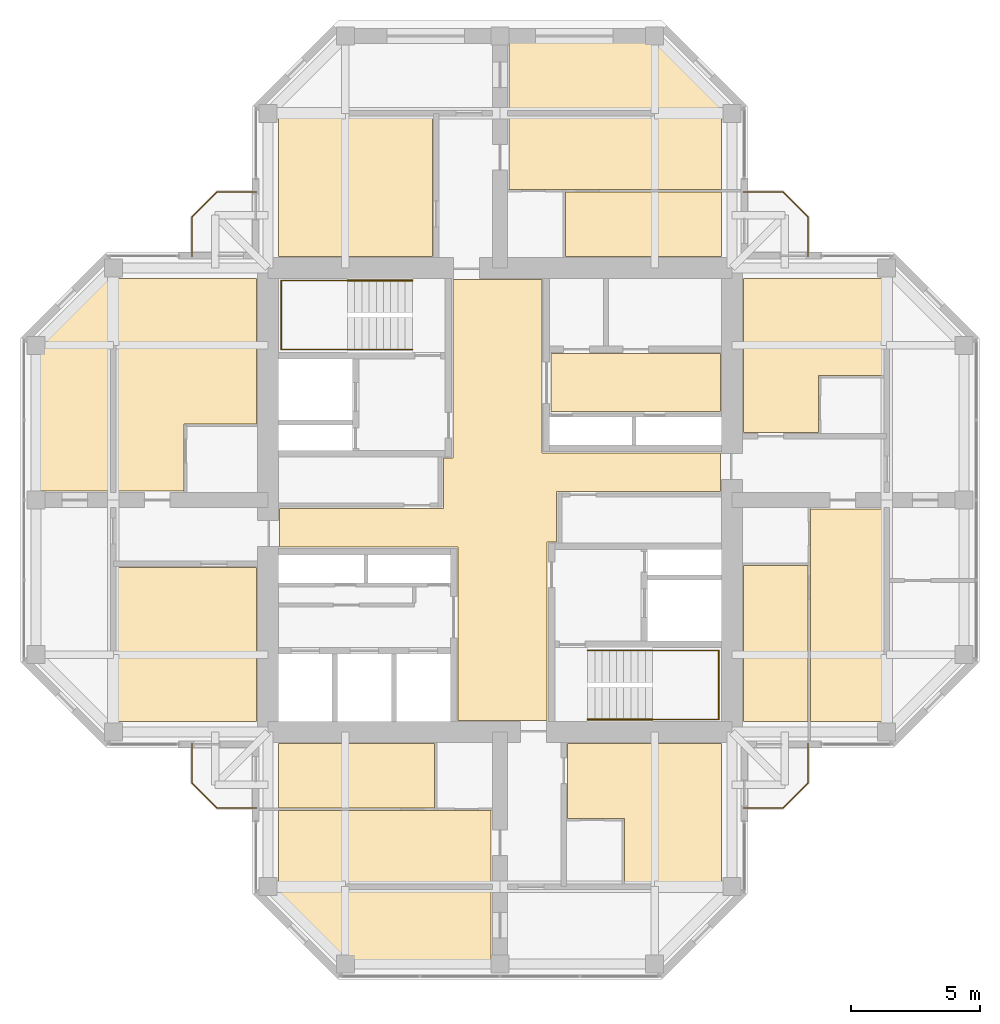
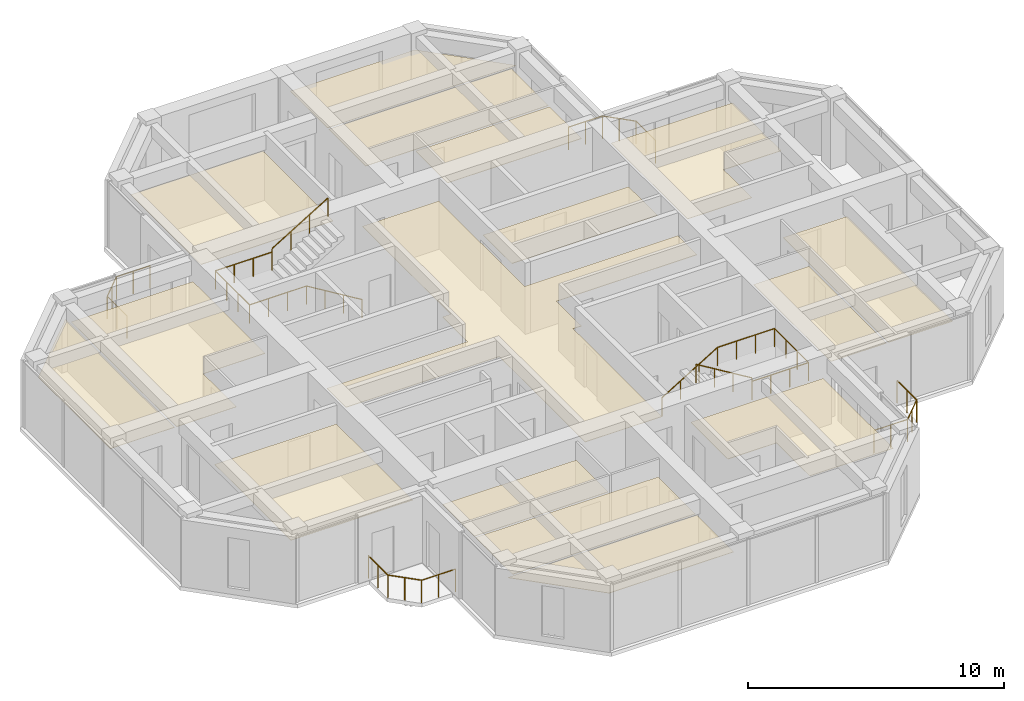
# One storey, part 13 of 13: 16 coverings, 8 railings.
"""IFC4 building model written with IfcOpenShell, lengths in metres."""

from ifc_helpers import new_model, si_unit, direction, frame, origin, origin_2d, place, context, subcontext, project, spatial, polyline, circle, outline, extrude, material, layer, layer_set, constituent, constituent_set, type_object, element, save


model = new_model("IFC4")

# Units and contexts
model_context = context("Model", 3, precision=1e-05, world=origin(), true_north=direction((0.0, 1.0)))
body_context = subcontext(model_context, "Body", "Model", "MODEL_VIEW")
ifc_project = project(units=[si_unit("LENGTHUNIT", "METRE"), si_unit("AREAUNIT", "SQUARE_METRE"), si_unit("VOLUMEUNIT", "CUBIC_METRE"), si_unit("PLANEANGLEUNIT", "RADIAN"), si_unit("MASSUNIT", "GRAM", prefix="KILO")], contexts=[model_context])

# Site, building, storey
site_placement = place(None, origin())
site = spatial("IfcSite", under=ifc_project, at=site_placement, CompositionType="ELEMENT")
building_placement = place(site_placement, origin())
building = spatial("IfcBuilding", under=site, at=building_placement, Name="Torre Cruceta", CompositionType="ELEMENT")
storey_placement = place(building_placement, frame((0.0, 0.0, 284.89990234375)))
storey = spatial("IfcBuildingStorey", under=building, at=storey_placement, Name="L74", CompositionType="ELEMENT", Elevation=284.89990234375)

# Railings
ifc_material_1 = material(Name="Stainless steel 1.4401", Category="steel")
ifc_constituent_1 = constituent(ifc_material_1, Name="Frame")
ifc_material_2 = material(Name="Laminated safety glass", Category="glass")
ifc_constituent_2 = constituent(ifc_material_2, Name="Infill")
ifc_constituent_set = constituent_set(constituents=[ifc_constituent_1, ifc_constituent_2], Name="Stainless steel and laminated glass balustrade")
railing_type_1 = type_object("IfcRailingType", Name="BALCONY BALUSTRADE 1100", PredefinedType="BALUSTRADE", material=ifc_constituent_set)
railing_1_placement = place(storey_placement, frame((-9.449951171875, 11.949951171875, 0.0)))
element("IfcRailing", 1, at=railing_1_placement, inside=storey, type_object=railing_type_1, Name="BL1 balcony balustrade L74 N", PredefinedType="BALUSTRADE", context=body_context, shape_type="SweptSolid", body=[
    extrude(circle(Radius=0.02392578125, at=origin_2d()), frame((0.0, 0.0, 1.076171875), z_axis=(-1.0, 0.0, 0.0), x_axis=(0.0, -1.0, 0.0)), (0.0, 0.0, 1.0), 1.529296875),
    extrude(circle(Radius=0.02392578125, at=origin_2d()), frame((-1.529296875, 0.0, 1.076171875), z_axis=(-0.707106781187, -0.707106781187, 0.0), x_axis=(0.707106781187, -0.707106781187, 0.0)), (0.0, 0.0, 1.0), 1.372802734375),
    extrude(circle(Radius=0.02392578125, at=origin_2d()), frame((-2.5, -0.970703125, 1.076171875), z_axis=(0.0, -1.0, 0.0), x_axis=(1.0, 0.0, 0.0)), (0.0, 0.0, 1.0), 1.529296875),
    extrude(circle(Radius=0.02099609375, at=origin_2d()), origin(), (0.0, 0.0, 1.0), 1.052001953125),
    extrude(circle(Radius=0.02099609375, at=origin_2d()), frame((-0.7646484375, 0.0, 0.0)), (0.0, 0.0, 1.0), 1.052001953125),
    extrude(circle(Radius=0.02099609375, at=origin_2d()), frame((-1.529296875, 0.0, 0.0)), (0.0, 0.0, 1.0), 1.052001953125),
    extrude(circle(Radius=0.02099609375, at=origin_2d()), frame((-2.0146484375, -0.4853515625, 0.0)), (0.0, 0.0, 1.0), 1.052001953125),
    extrude(circle(Radius=0.02099609375, at=origin_2d()), frame((-2.5, -0.970703125, 0.0)), (0.0, 0.0, 1.0), 1.052001953125),
    extrude(circle(Radius=0.02099609375, at=origin_2d()), frame((-2.5, -1.7353515625, 0.0)), (0.0, 0.0, 1.0), 1.052001953125),
    extrude(circle(Radius=0.02099609375, at=origin_2d()), frame((-2.5, -2.5, 0.0)), (0.0, 0.0, 1.0), 1.052001953125),
])
railing_2_placement = place(storey_placement, frame((9.449951171875, 11.949951171875, 0.0)))
element("IfcRailing", 2, at=railing_2_placement, inside=storey, type_object=railing_type_1, Name="BL1 balcony balustrade L74 E", PredefinedType="BALUSTRADE", context=body_context, shape_type="SweptSolid", body=[
    extrude(circle(Radius=0.02392578125, at=origin_2d()), frame((0.0, 0.0, 1.076171875), z_axis=(1.0, 0.0, 0.0), x_axis=(0.0, 1.0, 0.0)), (0.0, 0.0, 1.0), 1.529296875),
    extrude(circle(Radius=0.02392578125, at=origin_2d()), frame((1.529296875, 0.0, 1.076171875), z_axis=(0.707106781187, -0.707106781187, 0.0), x_axis=(0.707106781187, 0.707106781187, 0.0)), (0.0, 0.0, 1.0), 1.372802734375),
    extrude(circle(Radius=0.02392578125, at=origin_2d()), frame((2.5, -0.970703125, 1.076171875), z_axis=(0.0, -1.0, 0.0), x_axis=(1.0, 0.0, 0.0)), (0.0, 0.0, 1.0), 1.529296875),
    extrude(circle(Radius=0.02099609375, at=origin_2d()), origin(), (0.0, 0.0, 1.0), 1.052001953125),
    extrude(circle(Radius=0.02099609375, at=origin_2d()), frame((0.7646484375, 0.0, 0.0)), (0.0, 0.0, 1.0), 1.052001953125),
    extrude(circle(Radius=0.02099609375, at=origin_2d()), frame((1.529296875, 0.0, 0.0)), (0.0, 0.0, 1.0), 1.052001953125),
    extrude(circle(Radius=0.02099609375, at=origin_2d()), frame((2.0146484375, -0.4853515625, 0.0)), (0.0, 0.0, 1.0), 1.052001953125),
    extrude(circle(Radius=0.02099609375, at=origin_2d()), frame((2.5, -0.970703125, 0.0)), (0.0, 0.0, 1.0), 1.052001953125),
    extrude(circle(Radius=0.02099609375, at=origin_2d()), frame((2.5, -1.7353515625, 0.0)), (0.0, 0.0, 1.0), 1.052001953125),
    extrude(circle(Radius=0.02099609375, at=origin_2d()), frame((2.5, -2.5, 0.0)), (0.0, 0.0, 1.0), 1.052001953125),
])
railing_3_placement = place(storey_placement, frame((9.449951171875, -11.949951171875, 0.0)))
element("IfcRailing", 3, at=railing_3_placement, inside=storey, type_object=railing_type_1, Name="BL1 balcony balustrade L74 S", PredefinedType="BALUSTRADE", context=body_context, shape_type="SweptSolid", body=[
    extrude(circle(Radius=0.02392578125, at=origin_2d()), frame((0.0, 0.0, 1.076171875), z_axis=(1.0, 0.0, 0.0), x_axis=(0.0, 1.0, 0.0)), (0.0, 0.0, 1.0), 1.529296875),
    extrude(circle(Radius=0.02392578125, at=origin_2d()), frame((1.529296875, 0.0, 1.076171875), z_axis=(0.707106781187, 0.707106781187, 0.0), x_axis=(-0.707106781187, 0.707106781187, 0.0)), (0.0, 0.0, 1.0), 1.372802734375),
    extrude(circle(Radius=0.02392578125, at=origin_2d()), frame((2.5, 0.970703125, 1.076171875), z_axis=(0.0, 1.0, 0.0), x_axis=(-1.0, 0.0, 0.0)), (0.0, 0.0, 1.0), 1.529296875),
    extrude(circle(Radius=0.02099609375, at=origin_2d()), origin(), (0.0, 0.0, 1.0), 1.052001953125),
    extrude(circle(Radius=0.02099609375, at=origin_2d()), frame((0.7646484375, 0.0, 0.0)), (0.0, 0.0, 1.0), 1.052001953125),
    extrude(circle(Radius=0.02099609375, at=origin_2d()), frame((1.529296875, 0.0, 0.0)), (0.0, 0.0, 1.0), 1.052001953125),
    extrude(circle(Radius=0.02099609375, at=origin_2d()), frame((2.0146484375, 0.4853515625, 0.0)), (0.0, 0.0, 1.0), 1.052001953125),
    extrude(circle(Radius=0.02099609375, at=origin_2d()), frame((2.5, 0.970703125, 0.0)), (0.0, 0.0, 1.0), 1.052001953125),
    extrude(circle(Radius=0.02099609375, at=origin_2d()), frame((2.5, 1.7353515625, 0.0)), (0.0, 0.0, 1.0), 1.052001953125),
    extrude(circle(Radius=0.02099609375, at=origin_2d()), frame((2.5, 2.5, 0.0)), (0.0, 0.0, 1.0), 1.052001953125),
])
railing_4_placement = place(storey_placement, frame((-9.449951171875, -11.949951171875, 0.0)))
element("IfcRailing", 4, at=railing_4_placement, inside=storey, type_object=railing_type_1, Name="BL1 balcony balustrade L74 W", PredefinedType="BALUSTRADE", context=body_context, shape_type="SweptSolid", body=[
    extrude(circle(Radius=0.02392578125, at=origin_2d()), frame((0.0, 0.0, 1.076171875), z_axis=(-1.0, 0.0, 0.0), x_axis=(0.0, -1.0, 0.0)), (0.0, 0.0, 1.0), 1.529296875),
    extrude(circle(Radius=0.02392578125, at=origin_2d()), frame((-1.529296875, 0.0, 1.076171875), z_axis=(-0.707106781187, 0.707106781187, 0.0), x_axis=(-0.707106781187, -0.707106781187, 0.0)), (0.0, 0.0, 1.0), 1.372802734375),
    extrude(circle(Radius=0.02392578125, at=origin_2d()), frame((-2.5, 0.970703125, 1.076171875), z_axis=(0.0, 1.0, 0.0), x_axis=(-1.0, 0.0, 0.0)), (0.0, 0.0, 1.0), 1.529296875),
    extrude(circle(Radius=0.02099609375, at=origin_2d()), origin(), (0.0, 0.0, 1.0), 1.052001953125),
    extrude(circle(Radius=0.02099609375, at=origin_2d()), frame((-0.7646484375, 0.0, 0.0)), (0.0, 0.0, 1.0), 1.052001953125),
    extrude(circle(Radius=0.02099609375, at=origin_2d()), frame((-1.529296875, 0.0, 0.0)), (0.0, 0.0, 1.0), 1.052001953125),
    extrude(circle(Radius=0.02099609375, at=origin_2d()), frame((-2.0146484375, 0.4853515625, 0.0)), (0.0, 0.0, 1.0), 1.052001953125),
    extrude(circle(Radius=0.02099609375, at=origin_2d()), frame((-2.5, 0.970703125, 0.0)), (0.0, 0.0, 1.0), 1.052001953125),
    extrude(circle(Radius=0.02099609375, at=origin_2d()), frame((-2.5, 1.7353515625, 0.0)), (0.0, 0.0, 1.0), 1.052001953125),
    extrude(circle(Radius=0.02099609375, at=origin_2d()), frame((-2.5, 2.5, 0.0)), (0.0, 0.0, 1.0), 1.052001953125),
])
ifc_material_3 = material(Name="Stainless steel 1.4401", Category="steel")
railing_type_2 = type_object("IfcRailingType", Name="HANDRAIL 900", PredefinedType="HANDRAIL", material=ifc_material_3)
railing_5_placement = place(storey_placement, frame((-3.39990234375, 5.8349609375, 0.170166015625)))
element("IfcRailing", 5, at=railing_5_placement, inside=storey, type_object=railing_type_2, Name="Handrail HR1 ST1 L74", PredefinedType="HANDRAIL", context=body_context, shape_type="SweptSolid", body=[
    extrude(circle(Radius=0.02392578125, at=origin_2d()), frame((0.0, 0.0, 0.8759765625), z_axis=(-0.85478489116, 0.0, 0.518982456201), x_axis=(0.0, -1.0, 0.0)), (0.0, 0.0, 1.0), 2.9482421875),
    extrude(circle(Radius=0.02392578125, at=origin_2d()), frame((-2.52001953125, 0.0, 2.40576171875), z_axis=(-1.0, 0.0, 0.0), x_axis=(0.0, -1.0, 0.0)), (0.0, 0.0, 1.0), 2.570068359375),
    extrude(circle(Radius=0.02392578125, at=origin_2d()), frame((-5.090087890625, 0.0, 2.40576171875), z_axis=(0.0, 1.0, 0.0), x_axis=(-1.0, 0.0, 0.0)), (0.0, 0.0, 1.0), 2.679931640625),
    extrude(circle(Radius=0.02392578125, at=origin_2d()), frame((-5.090087890625, 2.679931640625, 2.40576171875), z_axis=(1.0, 0.0, 0.0), x_axis=(0.0, 1.0, 0.0)), (0.0, 0.0, 1.0), 2.570068359375),
    extrude(circle(Radius=0.02099609375, at=origin_2d()), origin(), (0.0, 0.0, 1.0), 0.851806640625),
    extrude(circle(Radius=0.02099609375, at=origin_2d()), frame((-0.840087890625, 0.0, 0.510009765625)), (0.0, 0.0, 1.0), 0.851806640625),
    extrude(circle(Radius=0.02099609375, at=origin_2d()), frame((-1.679931640625, 0.0, 1.02001953125)), (0.0, 0.0, 1.0), 0.851806640625),
    extrude(circle(Radius=0.02099609375, at=origin_2d()), frame((-2.52001953125, 0.0, 1.530029296875)), (0.0, 0.0, 1.0), 0.851806640625),
    extrude(circle(Radius=0.02099609375, at=origin_2d()), frame((-3.376708984375, 0.0, 1.530029296875)), (0.0, 0.0, 1.0), 0.851806640625),
    extrude(circle(Radius=0.02099609375, at=origin_2d()), frame((-4.2333984375, 0.0, 1.530029296875)), (0.0, 0.0, 1.0), 0.851806640625),
    extrude(circle(Radius=0.02099609375, at=origin_2d()), frame((-5.090087890625, 0.0, 1.530029296875)), (0.0, 0.0, 1.0), 0.851806640625),
    extrude(circle(Radius=0.02099609375, at=origin_2d()), frame((-5.090087890625, 0.893310546875, 1.530029296875)), (0.0, 0.0, 1.0), 0.851806640625),
    extrude(circle(Radius=0.02099609375, at=origin_2d()), frame((-5.090087890625, 1.78662109375, 1.530029296875)), (0.0, 0.0, 1.0), 0.851806640625),
    extrude(circle(Radius=0.02099609375, at=origin_2d()), frame((-5.090087890625, 2.679931640625, 1.530029296875)), (0.0, 0.0, 1.0), 0.851806640625),
    extrude(circle(Radius=0.02099609375, at=origin_2d()), frame((-4.2333984375, 2.679931640625, 1.530029296875)), (0.0, 0.0, 1.0), 0.851806640625),
    extrude(circle(Radius=0.02099609375, at=origin_2d()), frame((-3.376708984375, 2.679931640625, 1.530029296875)), (0.0, 0.0, 1.0), 0.851806640625),
    extrude(circle(Radius=0.02099609375, at=origin_2d()), frame((-2.52001953125, 2.679931640625, 1.530029296875)), (0.0, 0.0, 1.0), 0.851806640625),
])
railing_6_placement = place(storey_placement, frame((-5.919921875, 8.514892578125, 1.8701171875)))
element("IfcRailing", 6, at=railing_6_placement, inside=storey, type_object=railing_type_2, Name="Handrail HR1 ST1 L74", PredefinedType="HANDRAIL", context=body_context, shape_type="SweptSolid", body=[
    extrude(circle(Radius=0.02392578125, at=origin_2d()), frame((0.0, 0.0, 0.8759765625), z_axis=(0.85478489116, 0.0, 0.518982456201), x_axis=(0.0, 1.0, 0.0)), (0.0, 0.0, 1.0), 2.9482421875),
    extrude(circle(Radius=0.02099609375, at=origin_2d()), origin(), (0.0, 0.0, 1.0), 0.851806640625),
    extrude(circle(Radius=0.02099609375, at=origin_2d()), frame((0.840087890625, 0.0, 0.510009765625)), (0.0, 0.0, 1.0), 0.851806640625),
    extrude(circle(Radius=0.02099609375, at=origin_2d()), frame((1.679931640625, 0.0, 1.02001953125)), (0.0, 0.0, 1.0), 0.851806640625),
    extrude(circle(Radius=0.02099609375, at=origin_2d()), frame((2.52001953125, 0.0, 1.530029296875)), (0.0, 0.0, 1.0), 0.851806640625),
])
railing_7_placement = place(storey_placement, frame((3.39990234375, -5.8349609375, 0.170166015625)))
element("IfcRailing", 7, at=railing_7_placement, inside=storey, type_object=railing_type_2, Name="Handrail HR1 ST2 L74", PredefinedType="HANDRAIL", context=body_context, shape_type="SweptSolid", body=[
    extrude(circle(Radius=0.02392578125, at=origin_2d()), frame((0.0, 0.0, 0.8759765625), z_axis=(0.85478489116, 0.0, 0.518982456201), x_axis=(0.0, 1.0, 0.0)), (0.0, 0.0, 1.0), 2.9482421875),
    extrude(circle(Radius=0.02392578125, at=origin_2d()), frame((2.52001953125, 0.0, 2.40576171875), z_axis=(1.0, 0.0, 0.0), x_axis=(0.0, 1.0, 0.0)), (0.0, 0.0, 1.0), 2.570068359375),
    extrude(circle(Radius=0.02392578125, at=origin_2d()), frame((5.090087890625, 0.0, 2.40576171875), z_axis=(0.0, -1.0, 0.0), x_axis=(1.0, 0.0, 0.0)), (0.0, 0.0, 1.0), 2.679931640625),
    extrude(circle(Radius=0.02392578125, at=origin_2d()), frame((5.090087890625, -2.679931640625, 2.40576171875), z_axis=(-1.0, 0.0, 0.0), x_axis=(0.0, -1.0, 0.0)), (0.0, 0.0, 1.0), 2.570068359375),
    extrude(circle(Radius=0.02099609375, at=origin_2d()), origin(), (0.0, 0.0, 1.0), 0.851806640625),
    extrude(circle(Radius=0.02099609375, at=origin_2d()), frame((0.840087890625, 0.0, 0.510009765625)), (0.0, 0.0, 1.0), 0.851806640625),
    extrude(circle(Radius=0.02099609375, at=origin_2d()), frame((1.679931640625, 0.0, 1.02001953125)), (0.0, 0.0, 1.0), 0.851806640625),
    extrude(circle(Radius=0.02099609375, at=origin_2d()), frame((2.52001953125, 0.0, 1.530029296875)), (0.0, 0.0, 1.0), 0.851806640625),
    extrude(circle(Radius=0.02099609375, at=origin_2d()), frame((3.376708984375, 0.0, 1.530029296875)), (0.0, 0.0, 1.0), 0.851806640625),
    extrude(circle(Radius=0.02099609375, at=origin_2d()), frame((4.2333984375, 0.0, 1.530029296875)), (0.0, 0.0, 1.0), 0.851806640625),
    extrude(circle(Radius=0.02099609375, at=origin_2d()), frame((5.090087890625, 0.0, 1.530029296875)), (0.0, 0.0, 1.0), 0.851806640625),
    extrude(circle(Radius=0.02099609375, at=origin_2d()), frame((5.090087890625, -0.893310546875, 1.530029296875)), (0.0, 0.0, 1.0), 0.851806640625),
    extrude(circle(Radius=0.02099609375, at=origin_2d()), frame((5.090087890625, -1.78662109375, 1.530029296875)), (0.0, 0.0, 1.0), 0.851806640625),
    extrude(circle(Radius=0.02099609375, at=origin_2d()), frame((5.090087890625, -2.679931640625, 1.530029296875)), (0.0, 0.0, 1.0), 0.851806640625),
    extrude(circle(Radius=0.02099609375, at=origin_2d()), frame((4.2333984375, -2.679931640625, 1.530029296875)), (0.0, 0.0, 1.0), 0.851806640625),
    extrude(circle(Radius=0.02099609375, at=origin_2d()), frame((3.376708984375, -2.679931640625, 1.530029296875)), (0.0, 0.0, 1.0), 0.851806640625),
    extrude(circle(Radius=0.02099609375, at=origin_2d()), frame((2.52001953125, -2.679931640625, 1.530029296875)), (0.0, 0.0, 1.0), 0.851806640625),
])
railing_8_placement = place(storey_placement, frame((5.919921875, -8.514892578125, 1.8701171875)))
element("IfcRailing", 8, at=railing_8_placement, inside=storey, type_object=railing_type_2, Name="Handrail HR1 ST2 L74", PredefinedType="HANDRAIL", context=body_context, shape_type="SweptSolid", body=[
    extrude(circle(Radius=0.02392578125, at=origin_2d()), frame((0.0, 0.0, 0.8759765625), z_axis=(-0.85478489116, 0.0, 0.518982456201), x_axis=(0.0, -1.0, 0.0)), (0.0, 0.0, 1.0), 2.9482421875),
    extrude(circle(Radius=0.02099609375, at=origin_2d()), origin(), (0.0, 0.0, 1.0), 0.851806640625),
    extrude(circle(Radius=0.02099609375, at=origin_2d()), frame((-0.840087890625, 0.0, 0.510009765625)), (0.0, 0.0, 1.0), 0.851806640625),
    extrude(circle(Radius=0.02099609375, at=origin_2d()), frame((-1.679931640625, 0.0, 1.02001953125)), (0.0, 0.0, 1.0), 0.851806640625),
    extrude(circle(Radius=0.02099609375, at=origin_2d()), frame((-2.52001953125, 0.0, 1.530029296875)), (0.0, 0.0, 1.0), 0.851806640625),
])

# Coverings
ifc_material_4 = material(Name="Mineral fibre ceiling tile", Category="gypsum")
ifc_layer = layer(ifc_material_4, 0.02001953125)
ifc_layer_set = layer_set([ifc_layer], Name="Mineral fibre ceiling tile")
covering_type = type_object("IfcCoveringType", Name="SUSPENDED CEILING 20", PredefinedType="CEILING", material=ifc_layer_set)
covering_1_placement = place(storey_placement, frame((0.0, 0.0, 2.330078125)))
element("IfcCovering", 9, at=covering_1_placement, inside=storey, type_object=covering_type, Name="Ceiling L74-003", PredefinedType="CEILING", context=body_context, shape_type="SweptSolid", body=[
    extrude(outline(polyline([(1.824951171875, -8.550048828125), (-1.625, -8.550048828125), (-1.625, -1.824951171875), (-8.550048828125, -1.824951171875), (-8.550048828125, -0.324951171875), (-2.199951171875, -0.324951171875), (-2.199951171875, 1.625), (-1.824951171875, 1.625), (-1.824951171875, 8.550048828125), (1.625, 8.550048828125), (1.625, 1.824951171875), (8.550048828125, 1.824951171875), (8.550048828125, 0.324951171875), (2.199951171875, 0.324951171875), (2.199951171875, -1.625), (1.824951171875, -1.625), (1.824951171875, -8.550048828125)])), origin(), (0.0, 0.0, 1.0), 0.02001953125),
])
covering_2_placement = place(storey_placement, frame((0.0, 0.0, 2.330078125)))
element("IfcCovering", 10, at=covering_2_placement, inside=storey, type_object=covering_type, Name="Ceiling L74-006", PredefinedType="CEILING", context=body_context, shape_type="SweptSolid", body=[
    extrude(outline(polyline([(1.97509765625, 3.425048828125), (1.97509765625, 5.675048828125), (8.550048828125, 5.675048828125), (8.550048828125, 3.425048828125), (1.97509765625, 3.425048828125)])), origin(), (0.0, 0.0, 1.0), 0.02001953125),
])
covering_3_placement = place(storey_placement, frame((0.0, 0.0, 2.330078125)))
element("IfcCovering", 11, at=covering_3_placement, inside=storey, type_object=covering_type, Name="Ceiling L74-025", PredefinedType="CEILING", context=body_context, shape_type="SweptSolid", body=[
    extrude(outline(polyline([(-2.625, 9.449951171875), (-8.60009765625, 9.449951171875), (-8.60009765625, 14.949951171875), (-2.625, 14.949951171875), (-2.625, 9.449951171875)])), origin(), (0.0, 0.0, 1.0), 0.02001953125),
])
covering_4_placement = place(storey_placement, frame((0.0, 0.0, 2.330078125)))
element("IfcCovering", 12, at=covering_4_placement, inside=storey, type_object=covering_type, Name="Ceiling L74-026", PredefinedType="CEILING", context=body_context, shape_type="SweptSolid", body=[
    extrude(outline(polyline([(8.60009765625, 14.949951171875), (8.60009765625, 12.050048828125), (0.35009765625, 12.050048828125), (0.35009765625, 14.949951171875), (8.60009765625, 14.949951171875)])), origin(), (0.0, 0.0, 1.0), 0.02001953125),
])
covering_5_placement = place(storey_placement, frame((0.0, 0.0, 2.330078125)))
element("IfcCovering", 13, at=covering_5_placement, inside=storey, type_object=covering_type, Name="Ceiling L74-027", PredefinedType="CEILING", context=body_context, shape_type="SweptSolid", body=[
    extrude(outline(polyline([(8.60009765625, 9.449951171875), (2.550048828125, 9.449951171875), (2.550048828125, 11.949951171875), (8.60009765625, 11.949951171875), (8.60009765625, 9.449951171875)])), origin(), (0.0, 0.0, 1.0), 0.02001953125),
])
covering_6_placement = place(storey_placement, frame((0.0, 0.0, 2.330078125)))
element("IfcCovering", 14, at=covering_6_placement, inside=storey, type_object=covering_type, Name="Ceiling L74-030", PredefinedType="CEILING", context=body_context, shape_type="SweptSolid", body=[
    extrude(outline(polyline([(8.87939453125, 15.050048828125), (0.35009765625, 15.050048828125), (0.35009765625, 17.949951171875), (5.979248046875, 17.949951171875), (8.87939453125, 15.050048828125)])), origin(), (0.0, 0.0, 1.0), 0.02001953125),
])
covering_7_placement = place(storey_placement, frame((0.0, 0.0, 2.330078125)))
element("IfcCovering", 15, at=covering_7_placement, inside=storey, type_object=covering_type, Name="Ceiling L74-032", PredefinedType="CEILING", context=body_context, shape_type="SweptSolid", body=[
    extrude(outline(polyline([(9.449951171875, 2.625), (9.449951171875, 8.60009765625), (14.949951171875, 8.60009765625), (14.949951171875, 4.824951171875), (12.35009765625, 4.824951171875), (12.35009765625, 2.625), (9.449951171875, 2.625)])), origin(), (0.0, 0.0, 1.0), 0.02001953125),
])
covering_8_placement = place(storey_placement, frame((0.0, 0.0, 2.330078125)))
element("IfcCovering", 16, at=covering_8_placement, inside=storey, type_object=covering_type, Name="Ceiling L74-034", PredefinedType="CEILING", context=body_context, shape_type="SweptSolid", body=[
    extrude(outline(polyline([(14.949951171875, -8.60009765625), (12.050048828125, -8.60009765625), (12.050048828125, -0.35009765625), (14.949951171875, -0.35009765625), (14.949951171875, -8.60009765625)])), origin(), (0.0, 0.0, 1.0), 0.02001953125),
])
covering_9_placement = place(storey_placement, frame((0.0, 0.0, 2.330078125)))
element("IfcCovering", 17, at=covering_9_placement, inside=storey, type_object=covering_type, Name="Ceiling L74-035", PredefinedType="CEILING", context=body_context, shape_type="SweptSolid", body=[
    extrude(outline(polyline([(9.449951171875, -8.60009765625), (9.449951171875, -2.550048828125), (11.949951171875, -2.550048828125), (11.949951171875, -8.60009765625), (9.449951171875, -8.60009765625)])), origin(), (0.0, 0.0, 1.0), 0.02001953125),
])
covering_10_placement = place(storey_placement, frame((0.0, 0.0, 2.330078125)))
element("IfcCovering", 18, at=covering_10_placement, inside=storey, type_object=covering_type, Name="Ceiling L74-041", PredefinedType="CEILING", context=body_context, shape_type="SweptSolid", body=[
    extrude(outline(polyline([(2.625, -9.449951171875), (8.60009765625, -9.449951171875), (8.60009765625, -14.949951171875), (4.824951171875, -14.949951171875), (4.824951171875, -12.35009765625), (2.625, -12.35009765625), (2.625, -9.449951171875)])), origin(), (0.0, 0.0, 1.0), 0.02001953125),
])
covering_11_placement = place(storey_placement, frame((0.0, 0.0, 2.330078125)))
element("IfcCovering", 19, at=covering_11_placement, inside=storey, type_object=covering_type, Name="Ceiling L74-043", PredefinedType="CEILING", context=body_context, shape_type="SweptSolid", body=[
    extrude(outline(polyline([(-8.60009765625, -14.949951171875), (-8.60009765625, -12.050048828125), (-0.35009765625, -12.050048828125), (-0.35009765625, -14.949951171875), (-8.60009765625, -14.949951171875)])), origin(), (0.0, 0.0, 1.0), 0.02001953125),
])
covering_12_placement = place(storey_placement, frame((0.0, 0.0, 2.330078125)))
element("IfcCovering", 20, at=covering_12_placement, inside=storey, type_object=covering_type, Name="Ceiling L74-044", PredefinedType="CEILING", context=body_context, shape_type="SweptSolid", body=[
    extrude(outline(polyline([(-8.60009765625, -9.449951171875), (-2.550048828125, -9.449951171875), (-2.550048828125, -11.949951171875), (-8.60009765625, -11.949951171875), (-8.60009765625, -9.449951171875)])), origin(), (0.0, 0.0, 1.0), 0.02001953125),
])
covering_13_placement = place(storey_placement, frame((0.0, 0.0, 2.330078125)))
element("IfcCovering", 21, at=covering_13_placement, inside=storey, type_object=covering_type, Name="Ceiling L74-047", PredefinedType="CEILING", context=body_context, shape_type="SweptSolid", body=[
    extrude(outline(polyline([(-8.87939453125, -15.050048828125), (-0.35009765625, -15.050048828125), (-0.35009765625, -17.949951171875), (-5.979248046875, -17.949951171875), (-8.87939453125, -15.050048828125)])), origin(), (0.0, 0.0, 1.0), 0.02001953125),
])
covering_14_placement = place(storey_placement, frame((0.0, 0.0, 2.330078125)))
element("IfcCovering", 22, at=covering_14_placement, inside=storey, type_object=covering_type, Name="Ceiling L74-049", PredefinedType="CEILING", context=body_context, shape_type="SweptSolid", body=[
    extrude(outline(polyline([(-9.449951171875, -2.625), (-9.449951171875, -8.60009765625), (-14.949951171875, -8.60009765625), (-14.949951171875, -2.625), (-9.449951171875, -2.625)])), origin(), (0.0, 0.0, 1.0), 0.02001953125),
])
covering_15_placement = place(storey_placement, frame((0.0, 0.0, 2.330078125)))
element("IfcCovering", 23, at=covering_15_placement, inside=storey, type_object=covering_type, Name="Ceiling L74-050", PredefinedType="CEILING", context=body_context, shape_type="SweptSolid", body=[
    extrude(outline(polyline([(-14.949951171875, 0.35009765625), (-14.949951171875, 8.60009765625), (-9.449951171875, 8.60009765625), (-9.449951171875, 2.949951171875), (-12.25, 2.949951171875), (-12.25, 0.35009765625), (-14.949951171875, 0.35009765625)])), origin(), (0.0, 0.0, 1.0), 0.02001953125),
])
covering_16_placement = place(storey_placement, frame((0.0, 0.0, 2.330078125)))
element("IfcCovering", 24, at=covering_16_placement, inside=storey, type_object=covering_type, Name="Ceiling L74-053", PredefinedType="CEILING", context=body_context, shape_type="SweptSolid", body=[
    extrude(outline(polyline([(-15.050048828125, 8.87939453125), (-15.050048828125, 0.35009765625), (-17.949951171875, 0.35009765625), (-17.949951171875, 5.979248046875), (-15.050048828125, 8.87939453125)])), origin(), (0.0, 0.0, 1.0), 0.02001953125),
])

save(model, "model.ifc")
